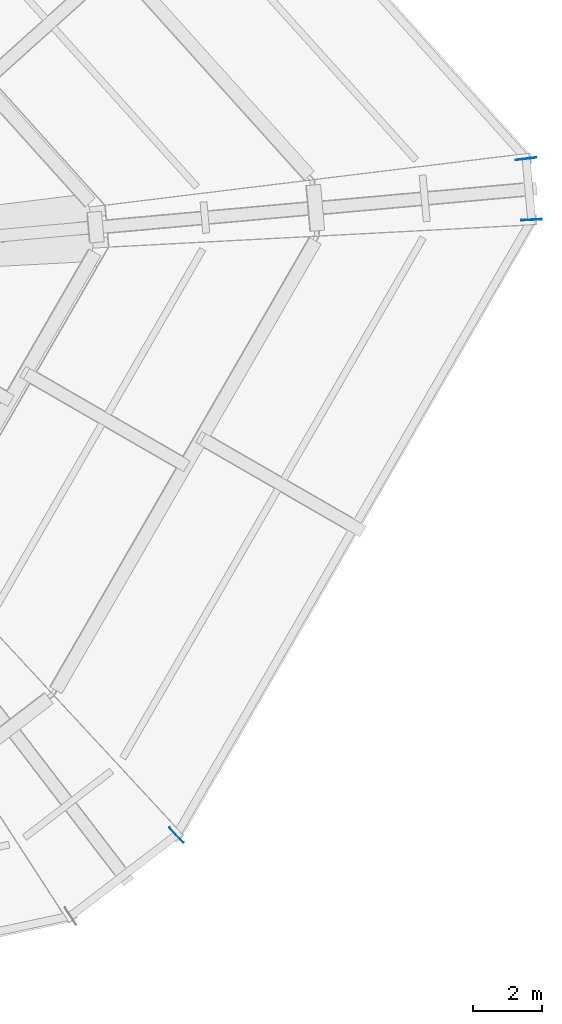
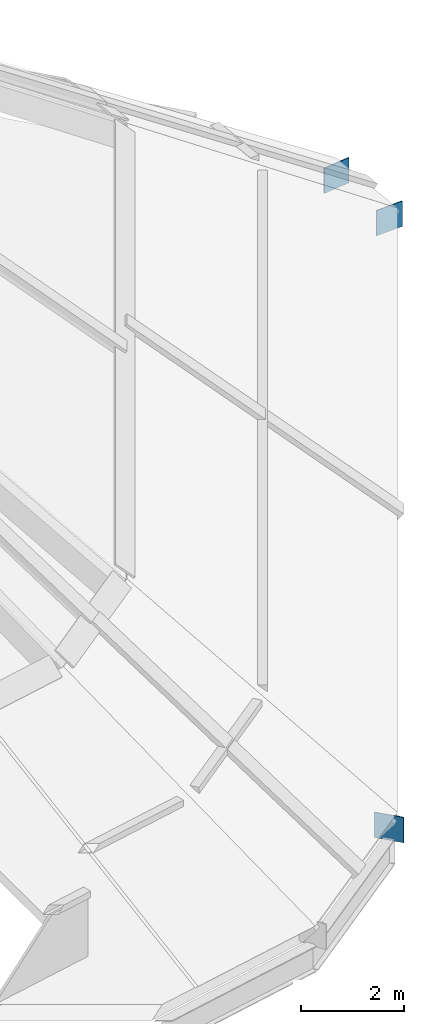
# One storey, part 8 of 10: 3 discrete accessories.
"""IFC4 building model written with IfcOpenShell, lengths in metres."""

import ifcopenshell
import ifcopenshell.guid

model = None  # the IFC model being written
_history = None  # IfcOwnerHistory: only IFC2X3 demands one
_inside = {}  # id of a spatial element -> (the spatial element, [elements in it])
_under = {}  # id of a project, library or spatial element -> (it, [spatial elements below it])
_declared = {}  # id of a project -> (the project, [libraries it declares])
_typed = {}  # id of a type object -> (the type object, [elements of that type])
_made_of = {}  # id of a material, layer set ... -> (it, [elements and type objects made of it])


def new_model(schema):
    """Start an empty IFC model of exactly this schema.

    Asked for "IFC4X3", IfcOpenShell would pick the latest addendum, in which some entities
    have other attributes; the version numbers below select the first issue.
    IFC2X3 requires an IfcOwnerHistory on every rooted entity: one is made here for all.
    """
    global model, _history
    if schema == "IFC4X3":
        model = ifcopenshell.file(schema_version=(4, 3, 0, 0))
    else:
        model = ifcopenshell.file(schema=schema)
    _inside.clear()
    _under.clear()
    _declared.clear()
    _typed.clear()
    _made_of.clear()
    _history = None
    if model.schema == "IFC2X3":
        org = make("IfcOrganization", Name="unknown")
        user = make(
            "IfcPersonAndOrganization",
            ThePerson=make("IfcPerson", FamilyName="unknown"),
            TheOrganization=org,
        )
        app = make(
            "IfcApplication",
            ApplicationDeveloper=org,
            Version="unknown",
            ApplicationFullName="unknown",
            ApplicationIdentifier="unknown",
        )
        _history = make(
            "IfcOwnerHistory",
            OwningUser=user,
            OwningApplication=app,
            ChangeAction="ADDED",
            CreationDate=0,
        )
    return model


def make(cls, **values):
    """One entity of the class cls with the attributes given. An attribute that is None is left unset."""
    return model.create_entity(
        cls, **{name: value for name, value in values.items() if value is not None}
    )


def rooted(cls, **values):
    """An entity with a GlobalId (a new one), such as an element, a storey or a relation."""
    return make(cls, GlobalId=ifcopenshell.guid.new(), OwnerHistory=_history, **values)


def si_unit(unit_type, name, prefix=None):
    """IfcSIUnit, for example si_unit("LENGTHUNIT", "METRE", prefix="MILLI")."""
    return make("IfcSIUnit", UnitType=unit_type, Prefix=prefix, Name=name)


def assignment(units):
    """IfcUnitAssignment: the units of a project."""
    return None if units is None else make("IfcUnitAssignment", Units=units)


def point(xyz):
    """IfcCartesianPoint."""
    return None if xyz is None else make("IfcCartesianPoint", Coordinates=xyz)


def direction(xyz):
    """IfcDirection."""
    return None if xyz is None else make("IfcDirection", DirectionRatios=xyz)


def frame(location, z_axis=None, x_axis=None):
    """IfcAxis2Placement3D, a coordinate frame: its origin and axes. An axis left out is left unset."""
    return make(
        "IfcAxis2Placement3D",
        Location=point(location),
        Axis=direction(z_axis),
        RefDirection=direction(x_axis),
    )


def frame_2d(location, x_axis=None):
    """IfcAxis2Placement2D, a coordinate frame in the plane: its origin and x axis."""
    return make(
        "IfcAxis2Placement2D", Location=point(location), RefDirection=direction(x_axis)
    )


def origin():
    """The frame at (0, 0, 0) with its axes left unset."""
    return frame((0.0, 0.0, 0.0))


def origin_2d():
    """The frame at (0, 0) in the plane with its x axis left unset."""
    return frame_2d((0.0, 0.0))


def place(relative_to, where):
    """IfcLocalPlacement: puts the frame where relative to a parent placement (None: the world)."""
    return make(
        "IfcLocalPlacement", PlacementRelTo=relative_to, RelativePlacement=where
    )


def context(
    kind, dimensions, precision=None, world=None, true_north=None, identifier=None
):
    """IfcGeometricRepresentationContext, for example the 3D "Model" context."""
    return make(
        "IfcGeometricRepresentationContext",
        ContextIdentifier=identifier,
        ContextType=kind,
        CoordinateSpaceDimension=dimensions,
        Precision=precision,
        WorldCoordinateSystem=world,
        TrueNorth=true_north,
    )


def subcontext(parent, identifier, kind, view, scale=None):
    """IfcGeometricRepresentationSubContext, for example "Body" below "Model"."""
    return make(
        "IfcGeometricRepresentationSubContext",
        ContextIdentifier=identifier,
        ContextType=kind,
        ParentContext=parent,
        TargetScale=scale,
        TargetView=view,
    )


def project(units=None, contexts=None):
    """IfcProject with its units and contexts."""
    return rooted(
        "IfcProject",
        Name="project",
        RepresentationContexts=contexts,
        UnitsInContext=assignment(units),
    )


def spatial(cls, under=None, at=None, **own):
    """A site, building, storey or space (cls), placed at a placement, below another one or the project."""
    s = rooted(cls, ObjectPlacement=at, **own)
    if under is not None:
        _under.setdefault(under.id(), (under, []))[1].append(s)
    return s


def profile(cls, at=None, kind="AREA", **sizes):
    """A parametric profile (cls). Its sizes go by their IFC names, for example OverallWidth=200.0."""
    return make(cls, ProfileType=kind, Position=at, **sizes)


def rectangle(**sizes):
    """IfcRectangleProfileDef."""
    return profile("IfcRectangleProfileDef", **sizes)


def extrude(swept, where, along, depth):
    """IfcExtrudedAreaSolid: the profile swept, set in the frame where, extruded along a direction by depth."""
    return make(
        "IfcExtrudedAreaSolid",
        SweptArea=swept,
        Position=where,
        ExtrudedDirection=direction(along),
        Depth=depth,
    )


def shape(context_of_items, identifier, shape_type, items):
    """IfcShapeRepresentation: the items that make up one representation, for example the "Body"."""
    return make(
        "IfcShapeRepresentation",
        ContextOfItems=context_of_items,
        RepresentationIdentifier=identifier,
        RepresentationType=shape_type,
        Items=items,
    )


def material(Name=None, Category=None):
    """IfcMaterial."""
    return make("IfcMaterial", Name=Name, Category=Category)


def made_of(thing, what):
    """Note that an element or type object is made of a material, layer set ...; save() writes the relation."""
    if what is not None:
        _made_of.setdefault(what.id(), (what, []))[1].append(thing)
    return thing


def type_object(cls, material=None, **own):
    """A type object (cls), such as IfcWallType, which elements share."""
    return made_of(rooted(cls, **own), material)


def element(
    cls,
    number,
    at=None,
    inside=None,
    cuts=None,
    type_object=None,
    material=None,
    context=None,
    identifier="Body",
    shape_type=None,
    held_by="IfcProductDefinitionShape",
    body=None,
    shapes=None,
    **own,
):
    """One element of the class cls, such as IfcWall. Its Tag is "e" and its number.

    at: its placement. inside: the storey or other place that contains it. cuts: it is an
    opening in that element (IfcRelVoidsElement). A single representation is given by context,
    identifier, shape_type and body (its items); several are given by shapes. held_by: the class
    of the entity that holds the representations. save() writes the other relations.
    """
    e = rooted(cls, Tag="e%d" % number, ObjectPlacement=at, **own)
    if body is not None:
        shapes = [shape(context, identifier, shape_type, body)]
    if shapes is not None:
        e.Representation = make(held_by, Representations=shapes)
    if inside is not None:
        _inside.setdefault(inside.id(), (inside, []))[1].append(e)
    if cuts is not None:
        rooted(
            "IfcRelVoidsElement", RelatingBuildingElement=cuts, RelatedOpeningElement=e
        )
    if type_object is not None:
        _typed.setdefault(type_object.id(), (type_object, []))[1].append(e)
    return made_of(e, material)


def aggregate(whole, parts):
    """IfcRelAggregates: a whole, such as a stair, and the parts it consists of."""
    return rooted("IfcRelAggregates", RelatingObject=whole, RelatedObjects=parts)


def save(model, path):
    """Write the relations noted so far, then the file.

    IfcRelAggregates (storeys below a building ...), IfcRelContainedInSpatialStructure (elements
    in a storey), IfcRelDefinesByType, IfcRelAssociatesMaterial and IfcRelDeclares: one each for
    every whole, place, type object, material and project.
    """
    for whole, parts in _under.values():
        aggregate(whole, parts)
    for where, things in _inside.values():
        rooted(
            "IfcRelContainedInSpatialStructure",
            RelatedElements=things,
            RelatingStructure=where,
        )
    for kind, things in _typed.values():
        rooted("IfcRelDefinesByType", RelatedObjects=things, RelatingType=kind)
    for what, things in _made_of.values():
        rooted("IfcRelAssociatesMaterial", RelatedObjects=things, RelatingMaterial=what)
    for by, libraries in _declared.values():
        rooted("IfcRelDeclares", RelatingContext=by, RelatedDefinitions=libraries)
    model.write(path)


model = new_model("IFC4")

# Units and contexts
model_context = context("Model", 3, precision=1e-05, world=origin(), true_north=direction((0.0, 1.0)))
body_context = subcontext(model_context, "Body", "Model", "MODEL_VIEW")
ifc_project = project(units=[si_unit("LENGTHUNIT", "METRE"), si_unit("AREAUNIT", "SQUARE_METRE"), si_unit("VOLUMEUNIT", "CUBIC_METRE"), si_unit("PLANEANGLEUNIT", "RADIAN"), si_unit("MASSUNIT", "GRAM", prefix="KILO")], contexts=[model_context])

# Site, building, storey
site_placement = place(None, origin())
site = spatial("IfcSite", under=ifc_project, at=site_placement, CompositionType="ELEMENT")
building_placement = place(site_placement, origin())
building = spatial("IfcBuilding", under=site, at=building_placement, Name="Isthmus Gate Tower", CompositionType="ELEMENT")
storey_placement = place(building_placement, frame((0.0, 0.0, 315.60009765625)))
storey = spatial("IfcBuildingStorey", under=building, at=storey_placement, Name="C4", CompositionType="ELEMENT", Elevation=315.60009765625)

# Discrete accessories
ifc_material = material(Name="Structural steel ASTM A992 Gr 50", Category="steel")
discrete_accessory_type = type_object("IfcDiscreteAccessoryType", Name="GUSSET PLATE 600 X 20", PredefinedType="USERDEFINED", material=ifc_material)
for number, where, z_axis, x_axis, name in (
    (1, (15.28955078125, -16.517822265625, -0.300048828125), (0.0, 0.0, 1.0), (-0.679296698783, 0.73386374418, 0.0), "GUSSET PLATE"),
    (2, (25.604248046875, 1.347900390625, -0.300048828125), (0.0, 0.0, 1.0), (-0.998617399576, -0.052566997864, 0.0), "GUSSET PLATE"),
    (3, (25.445068359375, 3.120361328125, -0.300048828125), (0.0, 0.0, 1.0), (-0.992564103967, -0.121723044311, 0.0), "GUSSET PLATE"),
):
    element("IfcDiscreteAccessory", number, at=place(storey_placement, frame(where, z_axis=z_axis, x_axis=x_axis)), inside=storey, type_object=discrete_accessory_type, Name=name, ObjectType="GUSSET PLATE", PredefinedType="USERDEFINED", context=body_context, shape_type="SweptSolid", body=[
        extrude(rectangle(XDim=0.60009765625, YDim=0.02001953125, at=origin_2d()), origin(), (0.0, 0.0, 1.0), 0.60009765625),
    ])

save(model, "model.ifc")
